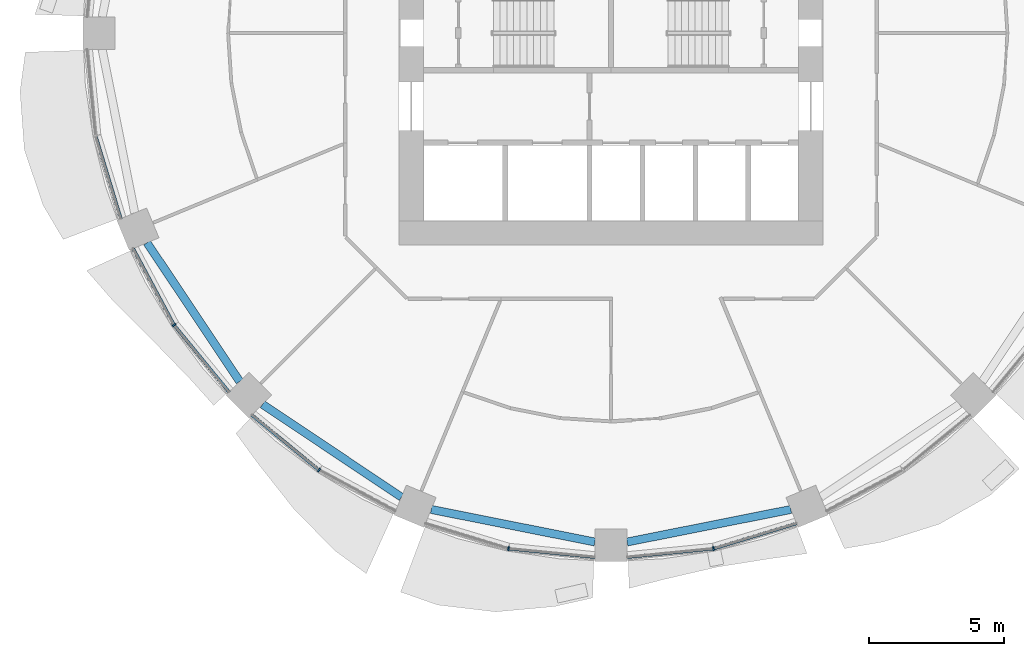
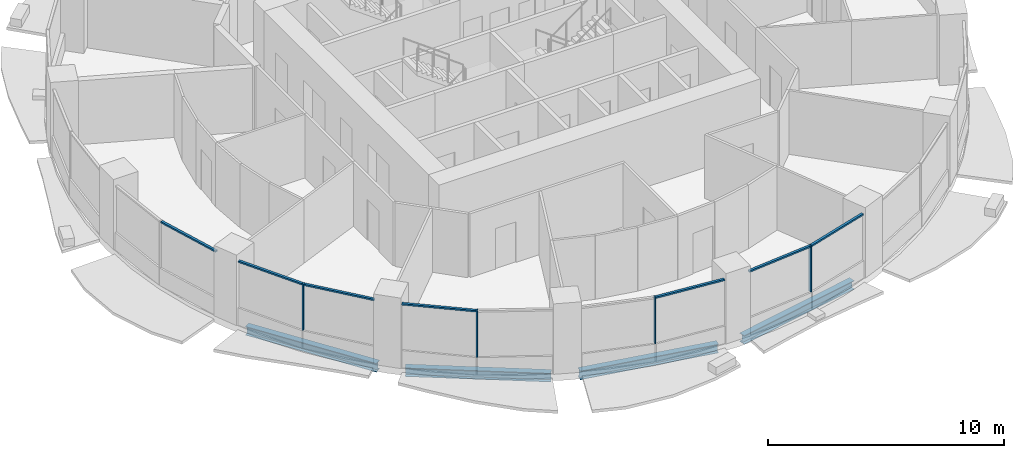
# One storey, part 2 of 15: 11 members, 4 beams, 5 elements without a shape of their own.
"""IFC4 building model written with IfcOpenShell, lengths in metres."""

import ifcopenshell
import ifcopenshell.guid

model = None  # the IFC model being written
_history = None  # IfcOwnerHistory: only IFC2X3 demands one
_inside = {}  # id of a spatial element -> (the spatial element, [elements in it])
_under = {}  # id of a project, library or spatial element -> (it, [spatial elements below it])
_declared = {}  # id of a project -> (the project, [libraries it declares])
_typed = {}  # id of a type object -> (the type object, [elements of that type])
_made_of = {}  # id of a material, layer set ... -> (it, [elements and type objects made of it])


def new_model(schema):
    """Start an empty IFC model of exactly this schema.

    Asked for "IFC4X3", IfcOpenShell would pick the latest addendum, in which some entities
    have other attributes; the version numbers below select the first issue.
    IFC2X3 requires an IfcOwnerHistory on every rooted entity: one is made here for all.
    """
    global model, _history
    if schema == "IFC4X3":
        model = ifcopenshell.file(schema_version=(4, 3, 0, 0))
    else:
        model = ifcopenshell.file(schema=schema)
    _inside.clear()
    _under.clear()
    _declared.clear()
    _typed.clear()
    _made_of.clear()
    _history = None
    if model.schema == "IFC2X3":
        org = make("IfcOrganization", Name="unknown")
        user = make(
            "IfcPersonAndOrganization",
            ThePerson=make("IfcPerson", FamilyName="unknown"),
            TheOrganization=org,
        )
        app = make(
            "IfcApplication",
            ApplicationDeveloper=org,
            Version="unknown",
            ApplicationFullName="unknown",
            ApplicationIdentifier="unknown",
        )
        _history = make(
            "IfcOwnerHistory",
            OwningUser=user,
            OwningApplication=app,
            ChangeAction="ADDED",
            CreationDate=0,
        )
    return model


def make(cls, **values):
    """One entity of the class cls with the attributes given. An attribute that is None is left unset."""
    return model.create_entity(
        cls, **{name: value for name, value in values.items() if value is not None}
    )


def rooted(cls, **values):
    """An entity with a GlobalId (a new one), such as an element, a storey or a relation."""
    return make(cls, GlobalId=ifcopenshell.guid.new(), OwnerHistory=_history, **values)


def si_unit(unit_type, name, prefix=None):
    """IfcSIUnit, for example si_unit("LENGTHUNIT", "METRE", prefix="MILLI")."""
    return make("IfcSIUnit", UnitType=unit_type, Prefix=prefix, Name=name)


def assignment(units):
    """IfcUnitAssignment: the units of a project."""
    return None if units is None else make("IfcUnitAssignment", Units=units)


def point(xyz):
    """IfcCartesianPoint."""
    return None if xyz is None else make("IfcCartesianPoint", Coordinates=xyz)


def direction(xyz):
    """IfcDirection."""
    return None if xyz is None else make("IfcDirection", DirectionRatios=xyz)


def frame(location, z_axis=None, x_axis=None):
    """IfcAxis2Placement3D, a coordinate frame: its origin and axes. An axis left out is left unset."""
    return make(
        "IfcAxis2Placement3D",
        Location=point(location),
        Axis=direction(z_axis),
        RefDirection=direction(x_axis),
    )


def frame_2d(location, x_axis=None):
    """IfcAxis2Placement2D, a coordinate frame in the plane: its origin and x axis."""
    return make(
        "IfcAxis2Placement2D", Location=point(location), RefDirection=direction(x_axis)
    )


def origin():
    """The frame at (0, 0, 0) with its axes left unset."""
    return frame((0.0, 0.0, 0.0))


def origin_2d():
    """The frame at (0, 0) in the plane with its x axis left unset."""
    return frame_2d((0.0, 0.0))


def place(relative_to, where):
    """IfcLocalPlacement: puts the frame where relative to a parent placement (None: the world)."""
    return make(
        "IfcLocalPlacement", PlacementRelTo=relative_to, RelativePlacement=where
    )


def context(
    kind, dimensions, precision=None, world=None, true_north=None, identifier=None
):
    """IfcGeometricRepresentationContext, for example the 3D "Model" context."""
    return make(
        "IfcGeometricRepresentationContext",
        ContextIdentifier=identifier,
        ContextType=kind,
        CoordinateSpaceDimension=dimensions,
        Precision=precision,
        WorldCoordinateSystem=world,
        TrueNorth=true_north,
    )


def subcontext(parent, identifier, kind, view, scale=None):
    """IfcGeometricRepresentationSubContext, for example "Body" below "Model"."""
    return make(
        "IfcGeometricRepresentationSubContext",
        ContextIdentifier=identifier,
        ContextType=kind,
        ParentContext=parent,
        TargetScale=scale,
        TargetView=view,
    )


def project(units=None, contexts=None):
    """IfcProject with its units and contexts."""
    return rooted(
        "IfcProject",
        Name="project",
        RepresentationContexts=contexts,
        UnitsInContext=assignment(units),
    )


def spatial(cls, under=None, at=None, **own):
    """A site, building, storey or space (cls), placed at a placement, below another one or the project."""
    s = rooted(cls, ObjectPlacement=at, **own)
    if under is not None:
        _under.setdefault(under.id(), (under, []))[1].append(s)
    return s


def profile(cls, at=None, kind="AREA", **sizes):
    """A parametric profile (cls). Its sizes go by their IFC names, for example OverallWidth=200.0."""
    return make(cls, ProfileType=kind, Position=at, **sizes)


def rectangle(**sizes):
    """IfcRectangleProfileDef."""
    return profile("IfcRectangleProfileDef", **sizes)


def i_section(**sizes):
    """IfcIShapeProfileDef."""
    return profile("IfcIShapeProfileDef", **sizes)


def extrude(swept, where, along, depth):
    """IfcExtrudedAreaSolid: the profile swept, set in the frame where, extruded along a direction by depth."""
    return make(
        "IfcExtrudedAreaSolid",
        SweptArea=swept,
        Position=where,
        ExtrudedDirection=direction(along),
        Depth=depth,
    )


def shape(context_of_items, identifier, shape_type, items):
    """IfcShapeRepresentation: the items that make up one representation, for example the "Body"."""
    return make(
        "IfcShapeRepresentation",
        ContextOfItems=context_of_items,
        RepresentationIdentifier=identifier,
        RepresentationType=shape_type,
        Items=items,
    )


def material(Name=None, Category=None):
    """IfcMaterial."""
    return make("IfcMaterial", Name=Name, Category=Category)


def material_profile(
    of_material, cross_section, Name=None, Category=None, Priority=None
):
    """IfcMaterialProfile: a cross section and its material."""
    return make(
        "IfcMaterialProfile",
        Name=Name,
        Material=of_material,
        Profile=cross_section,
        Priority=Priority,
        Category=Category,
    )


def profile_set(profiles, Name=None, composite=None):
    """IfcMaterialProfileSet."""
    return make(
        "IfcMaterialProfileSet",
        Name=Name,
        MaterialProfiles=profiles,
        CompositeProfile=composite,
    )


def made_of(thing, what):
    """Note that an element or type object is made of a material, layer set ...; save() writes the relation."""
    if what is not None:
        _made_of.setdefault(what.id(), (what, []))[1].append(thing)
    return thing


def type_object(cls, material=None, **own):
    """A type object (cls), such as IfcWallType, which elements share."""
    return made_of(rooted(cls, **own), material)


def element(
    cls,
    number,
    at=None,
    inside=None,
    cuts=None,
    type_object=None,
    material=None,
    context=None,
    identifier="Body",
    shape_type=None,
    held_by="IfcProductDefinitionShape",
    body=None,
    shapes=None,
    **own,
):
    """One element of the class cls, such as IfcWall. Its Tag is "e" and its number.

    at: its placement. inside: the storey or other place that contains it. cuts: it is an
    opening in that element (IfcRelVoidsElement). A single representation is given by context,
    identifier, shape_type and body (its items); several are given by shapes. held_by: the class
    of the entity that holds the representations. save() writes the other relations.
    """
    e = rooted(cls, Tag="e%d" % number, ObjectPlacement=at, **own)
    if body is not None:
        shapes = [shape(context, identifier, shape_type, body)]
    if shapes is not None:
        e.Representation = make(held_by, Representations=shapes)
    if inside is not None:
        _inside.setdefault(inside.id(), (inside, []))[1].append(e)
    if cuts is not None:
        rooted(
            "IfcRelVoidsElement", RelatingBuildingElement=cuts, RelatedOpeningElement=e
        )
    if type_object is not None:
        _typed.setdefault(type_object.id(), (type_object, []))[1].append(e)
    return made_of(e, material)


def aggregate(whole, parts):
    """IfcRelAggregates: a whole, such as a stair, and the parts it consists of."""
    return rooted("IfcRelAggregates", RelatingObject=whole, RelatedObjects=parts)


def save(model, path):
    """Write the relations noted so far, then the file.

    IfcRelAggregates (storeys below a building ...), IfcRelContainedInSpatialStructure (elements
    in a storey), IfcRelDefinesByType, IfcRelAssociatesMaterial and IfcRelDeclares: one each for
    every whole, place, type object, material and project.
    """
    for whole, parts in _under.values():
        aggregate(whole, parts)
    for where, things in _inside.values():
        rooted(
            "IfcRelContainedInSpatialStructure",
            RelatedElements=things,
            RelatingStructure=where,
        )
    for kind, things in _typed.values():
        rooted("IfcRelDefinesByType", RelatedObjects=things, RelatingType=kind)
    for what, things in _made_of.values():
        rooted("IfcRelAssociatesMaterial", RelatedObjects=things, RelatingMaterial=what)
    for by, libraries in _declared.values():
        rooted("IfcRelDeclares", RelatingContext=by, RelatedDefinitions=libraries)
    model.write(path)


model = new_model("IFC4")

# Units and contexts
model_context = context("Model", 3, precision=1e-05, world=origin(), true_north=direction((0.0, 1.0)))
body_context = subcontext(model_context, "Body", "Model", "MODEL_VIEW")
ifc_project = project(units=[si_unit("LENGTHUNIT", "METRE"), si_unit("AREAUNIT", "SQUARE_METRE"), si_unit("VOLUMEUNIT", "CUBIC_METRE"), si_unit("PLANEANGLEUNIT", "RADIAN"), si_unit("MASSUNIT", "GRAM", prefix="KILO")], contexts=[model_context])

# Site, building, storey
site_placement = place(None, origin())
site = spatial("IfcSite", under=ifc_project, at=site_placement, CompositionType="ELEMENT")
building_placement = place(site_placement, origin())
building = spatial("IfcBuilding", under=site, at=building_placement, Name="Polderwave Tower", CompositionType="ELEMENT")
storey_placement = place(building_placement, frame((0.0, 0.0, 51.75)))
storey = spatial("IfcBuildingStorey", under=building, at=storey_placement, Name="L13", CompositionType="ELEMENT", Elevation=51.75)

# Curtain wall, member
ifc_material_1 = material(Name="Aluminium 6063-T6 and glass", Category="aluminium")
curtain_wall_type = type_object("IfcCurtainWallType", Name="Growing floor ribbon glazing wall", PredefinedType="NOTDEFINED", material=ifc_material_1)
curtain_wall_1_placement = place(storey_placement, origin())
curtain_wall_1 = element("IfcCurtainWall", 1, at=curtain_wall_1_placement, inside=storey, type_object=curtain_wall_type, Name="CW2 L13 09", PredefinedType="NOTDEFINED")
ifc_material_2 = material(Name="Aluminium 6063-T6", Category="aluminium")
ifc_material_profile_1 = material_profile(ifc_material_2, rectangle(XDim=0.14990234375, YDim=0.06005859375, at=origin_2d()), Name="AL 60x150")
ifc_profile_set_1 = profile_set([ifc_material_profile_1], Name="Aluminium 6063-T6")
member_type_1 = type_object("IfcMemberType", Name="Growing floor ribbon glazing mullion 60x150", PredefinedType="MULLION", material=ifc_profile_set_1)
member_1_placement = place(storey_placement, frame((-16.239013671875, -10.85009765625, 0.89990234375), z_axis=(0.0, 0.0, 1.0), x_axis=(0.83146573367, 0.555576037759, 0.0)))
member_1 = element("IfcMember", 2, at=member_1_placement, type_object=member_type_1, Name="CW2 mullion 1", PredefinedType="MULLION", context=body_context, shape_type="SweptSolid", body=[
    extrude(rectangle(XDim=0.14990234375, YDim=0.06005859375, at=origin_2d()), origin(), (0.0, 0.0, 1.0), 2.400146484375),
])

curtain_wall_2_placement = place(storey_placement, origin())
curtain_wall_2 = element("IfcCurtainWall", 3, at=curtain_wall_2_placement, inside=storey, type_object=curtain_wall_type, Name="CW2 L13 10", PredefinedType="NOTDEFINED")
member_2_placement = place(storey_placement, frame((-10.85009765625, -16.239013671875, 0.89990234375), z_axis=(0.0, 0.0, 1.0), x_axis=(0.555576037759, 0.83146573367, 0.0)))
member_2 = element("IfcMember", 4, at=member_2_placement, type_object=member_type_1, Name="CW2 mullion 1", PredefinedType="MULLION", context=body_context, shape_type="SweptSolid", body=[
    extrude(rectangle(XDim=0.14990234375, YDim=0.06005859375, at=origin_2d()), origin(), (0.0, 0.0, 1.0), 2.400146484375),
])

curtain_wall_3_placement = place(storey_placement, origin())
curtain_wall_3 = element("IfcCurtainWall", 5, at=curtain_wall_3_placement, inside=storey, type_object=curtain_wall_type, Name="CW2 L13 11", PredefinedType="NOTDEFINED")
member_3_placement = place(storey_placement, frame((-3.81005859375, -19.155029296875, 0.89990234375), z_axis=(0.0, 0.0, 1.0), x_axis=(0.195148522643, 0.980773701784, 0.0)))
member_3 = element("IfcMember", 6, at=member_3_placement, type_object=member_type_1, Name="CW2 mullion 1", PredefinedType="MULLION", context=body_context, shape_type="SweptSolid", body=[
    extrude(rectangle(XDim=0.14990234375, YDim=0.06005859375, at=origin_2d()), origin(), (0.0, 0.0, 1.0), 2.400146484375),
])

curtain_wall_4_placement = place(storey_placement, origin())
curtain_wall_4 = element("IfcCurtainWall", 7, at=curtain_wall_4_placement, inside=storey, type_object=curtain_wall_type, Name="CW2 L13 12", PredefinedType="NOTDEFINED")
member_4_placement = place(storey_placement, frame((3.81005859375, -19.155029296875, 0.89990234375), z_axis=(0.0, 0.0, 1.0), x_axis=(-0.195148522643, 0.980773701784, 0.0)))
member_4 = element("IfcMember", 8, at=member_4_placement, type_object=member_type_1, Name="CW2 mullion 1", PredefinedType="MULLION", context=body_context, shape_type="SweptSolid", body=[
    extrude(rectangle(XDim=0.14990234375, YDim=0.06005859375, at=origin_2d()), origin(), (0.0, 0.0, 1.0), 2.400146484375),
])

curtain_wall_5_placement = place(storey_placement, origin())
curtain_wall_5 = element("IfcCurtainWall", 9, at=curtain_wall_5_placement, inside=storey, type_object=curtain_wall_type, Name="CW2 L13 08", PredefinedType="NOTDEFINED")
ifc_material_profile_2 = material_profile(ifc_material_2, rectangle(XDim=0.1201171875, YDim=0.080078125, at=origin_2d()), Name="AL 80x120")
ifc_profile_set_2 = profile_set([ifc_material_profile_2], Name="Aluminium 6063-T6")
member_type_2 = type_object("IfcMemberType", Name="Growing floor ribbon glazing transom 80x120", PredefinedType="USERDEFINED", material=ifc_profile_set_2)
member_5_placement = place(storey_placement, frame((-19.146240234375, -3.838623046875, 3.260009765625), z_axis=(0.290422902272, -0.95689839473, 0.0), x_axis=(0.95689839473, 0.290422902272, 0.0)))
member_5 = element("IfcMember", 10, at=member_5_placement, type_object=member_type_2, Name="CW2 transom 2", ObjectType="TRANSOM", PredefinedType="USERDEFINED", context=body_context, shape_type="SweptSolid", body=[
    extrude(rectangle(XDim=0.1201171875, YDim=0.080078125, at=origin_2d()), origin(), (0.0, 0.0, 1.0), 3.196044921875),
])
aggregate(curtain_wall_5, [member_5])

# Member
member_6_placement = place(storey_placement, frame((-17.759033203125, -8.006103515625, 3.260009765625), z_axis=(0.471381370673, -0.881929477556, 0.0), x_axis=(0.881929477556, 0.471381370673, 0.0)))
member_6 = element("IfcMember", 11, at=member_6_placement, type_object=member_type_2, Name="CW2 transom 1", ObjectType="TRANSOM", PredefinedType="USERDEFINED", context=body_context, shape_type="SweptSolid", body=[
    extrude(rectangle(XDim=0.1201171875, YDim=0.080078125, at=origin_2d()), origin(), (0.0, 0.0, 1.0), 3.194580078125),
])

member_7_placement = place(storey_placement, frame((-16.219970703125, -10.873291015625, 3.260009765625), z_axis=(0.63447226594, -0.772945627941, 0.0), x_axis=(0.772945627941, 0.63447226594, 0.0)))
member_7 = element("IfcMember", 12, at=member_7_placement, type_object=member_type_2, Name="CW2 transom 2", ObjectType="TRANSOM", PredefinedType="USERDEFINED", context=body_context, shape_type="SweptSolid", body=[
    extrude(rectangle(XDim=0.1201171875, YDim=0.080078125, at=origin_2d()), origin(), (0.0, 0.0, 1.0), 3.196533203125),
])

aggregate(curtain_wall_1, [member_1, member_6, member_7])

member_8_placement = place(storey_placement, frame((-13.343994140625, -14.19189453125, 3.260009765625), z_axis=(0.772945627941, -0.63447226594, 0.0), x_axis=(0.63447226594, 0.772945627941, 0.0)))
member_8 = element("IfcMember", 13, at=member_8_placement, type_object=member_type_2, Name="CW2 transom 1", ObjectType="TRANSOM", PredefinedType="USERDEFINED", context=body_context, shape_type="SweptSolid", body=[
    extrude(rectangle(XDim=0.1201171875, YDim=0.080078125, at=origin_2d()), origin(), (0.0, 0.0, 1.0), 3.196533203125),
])

aggregate(curtain_wall_2, [member_2, member_8])

member_9_placement = place(storey_placement, frame((-3.780029296875, -19.157958984375, 3.260009765625), z_axis=(0.99519106363, -0.097952778777, 0.0), x_axis=(0.097952778777, 0.99519106363, 0.0)))
member_9 = element("IfcMember", 14, at=member_9_placement, type_object=member_type_2, Name="CW2 transom 2", ObjectType="TRANSOM", PredefinedType="USERDEFINED", context=body_context, shape_type="SweptSolid", body=[
    extrude(rectangle(XDim=0.1201171875, YDim=0.080078125, at=origin_2d()), origin(), (0.0, 0.0, 1.0), 3.1953125),
])

aggregate(curtain_wall_3, [member_3, member_9])

member_10_placement = place(storey_placement, frame((0.60009765625, -19.470947265625, 3.260009765625), z_axis=(0.99519106363, 0.097952778777, 0.0), x_axis=(-0.097952778777, 0.99519106363, 0.0)))
member_10 = element("IfcMember", 15, at=member_10_placement, type_object=member_type_2, Name="CW2 transom 1", ObjectType="TRANSOM", PredefinedType="USERDEFINED", context=body_context, shape_type="SweptSolid", body=[
    extrude(rectangle(XDim=0.1201171875, YDim=0.080078125, at=origin_2d()), origin(), (0.0, 0.0, 1.0), 3.1953125),
])

member_11_placement = place(storey_placement, frame((3.838623046875, -19.146240234375, 3.260009765625), z_axis=(0.95689839473, 0.290422902272, 0.0), x_axis=(-0.290422902272, 0.95689839473, 0.0)))
member_11 = element("IfcMember", 16, at=member_11_placement, type_object=member_type_2, Name="CW2 transom 2", ObjectType="TRANSOM", PredefinedType="USERDEFINED", context=body_context, shape_type="SweptSolid", body=[
    extrude(rectangle(XDim=0.1201171875, YDim=0.080078125, at=origin_2d()), origin(), (0.0, 0.0, 1.0), 3.196044921875),
])

aggregate(curtain_wall_4, [member_4, member_10, member_11])

# Beams
ifc_material_3 = material(Name="Steel S355", Category="steel")
ifc_material_profile_3 = material_profile(ifc_material_3, i_section(OverallWidth=0.300048828125, OverallDepth=0.449951171875, WebThickness=0.013916015625, FlangeThickness=0.02587890625, at=origin_2d()), Name="HE 450 B")
ifc_profile_set_3 = profile_set([ifc_material_profile_3], Name="Steel S355")
beam_type = type_object("IfcBeamType", Name="RING BEAM HE 450 B", PredefinedType="BEAM", material=ifc_profile_set_3)
for number, where, z_axis, x_axis, name in (
    (17, (-17.241455078125, -7.791015625, -0.574951171875), (0.555553875554, -0.831480541779, 0.0), (0.831480541779, 0.555553875554, 0.0), "ST-RB-L13-09"),
    (18, (-12.947509765625, -13.796142578125, -0.574951171875), (0.831480541779, -0.555553875554, 0.0), (0.555553875554, 0.831480541779, 0.0), "ST-RB-L13-10"),
):
    element("IfcBeam", number, at=place(storey_placement, frame(where, z_axis=z_axis, x_axis=x_axis)), inside=storey, type_object=beam_type, Name=name, PredefinedType="BEAM", context=body_context, shape_type="SweptSolid", body=[
        extrude(i_section(OverallWidth=0.300048828125, OverallDepth=0.449951171875, WebThickness=0.013916015625, FlangeThickness=0.02587890625, at=origin_2d()), origin(), (0.0, 0.0, 1.0), 6.20166015625),
    ])
for number, where, z_axis, x_axis, name in (
    (19, (-6.682373046875, -17.70068359375, -0.574951171875), (0.980781542517, -0.195109112701, 0.0), (0.195109112701, 0.980781542517, 0.0), "ST-RB-L13-11"),
    (20, (0.60009765625, -18.91064453125, -0.574951171875), (0.980781542517, 0.195109112701, 0.0), (-0.195109112701, 0.980781542517, 0.0), "ST-RB-L13-12"),
):
    element("IfcBeam", number, at=place(storey_placement, frame(where, z_axis=z_axis, x_axis=x_axis)), inside=storey, type_object=beam_type, Name=name, PredefinedType="BEAM", context=body_context, shape_type="SweptSolid", body=[
        extrude(i_section(OverallWidth=0.300048828125, OverallDepth=0.449951171875, WebThickness=0.013916015625, FlangeThickness=0.02587890625, at=origin_2d()), origin(), (0.0, 0.0, 1.0), 6.201416015625),
    ])

save(model, "model.ifc")
